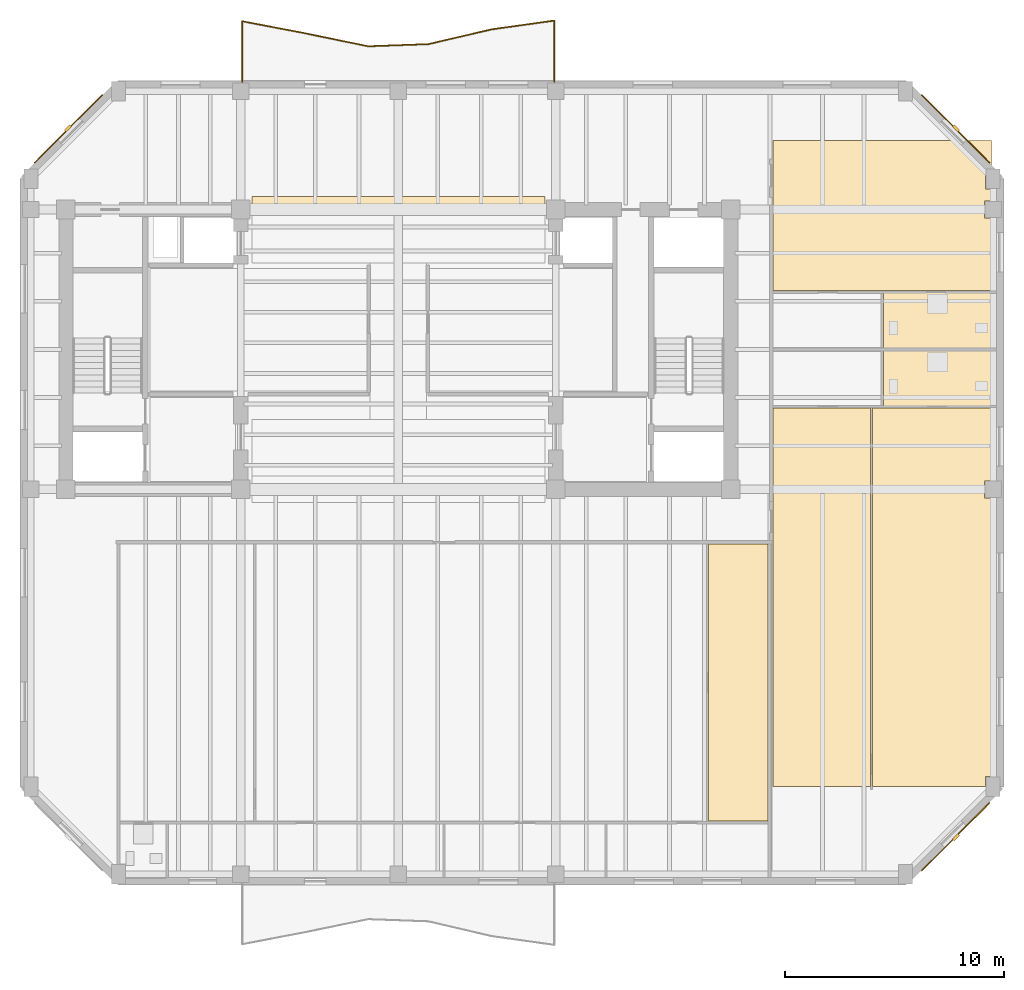
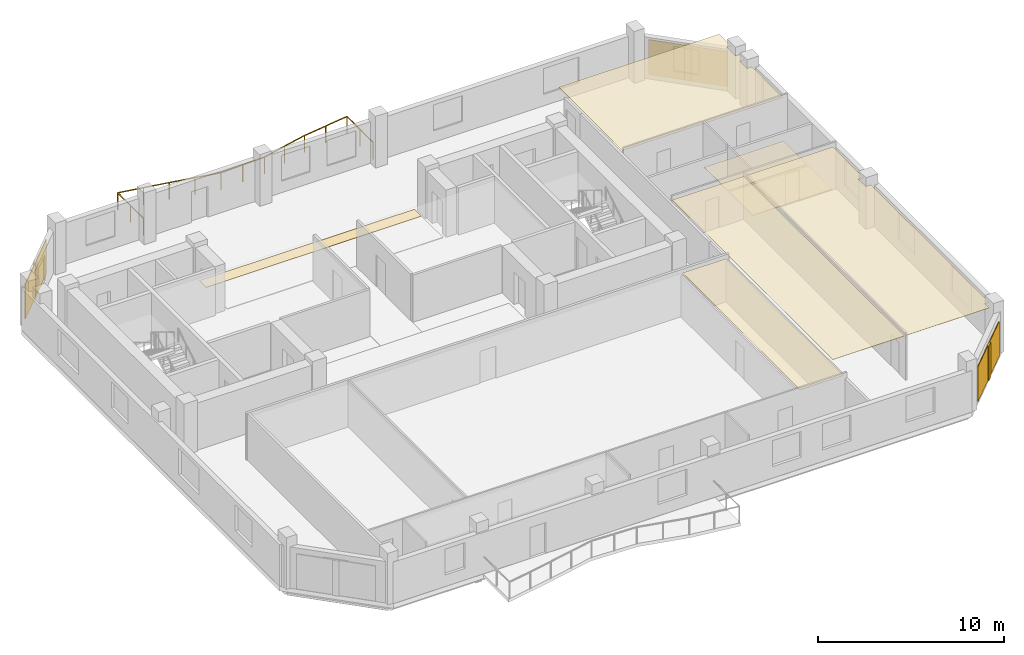
# One storey, part 8 of 9: 10 coverings, 3 shading devices, 1 railing.
"""IFC4 building model written with IfcOpenShell, lengths in metres."""

from ifc_helpers import new_model, si_unit, direction, frame, origin, origin_2d, place, context, subcontext, project, spatial, polyline, rectangle, circle, outline, extrude, material, layer, layer_set, type_object, element, save


model = new_model("IFC4")

# Units and contexts
model_context = context("Model", 3, precision=1e-05, world=origin(), true_north=direction((0.0, 1.0)))
body_context = subcontext(model_context, "Body", "Model", "MODEL_VIEW")
ifc_project = project(units=[si_unit("LENGTHUNIT", "METRE"), si_unit("AREAUNIT", "SQUARE_METRE"), si_unit("VOLUMEUNIT", "CUBIC_METRE"), si_unit("PLANEANGLEUNIT", "RADIAN"), si_unit("MASSUNIT", "GRAM", prefix="KILO")], contexts=[model_context])

# Site, building, storey
site_placement = place(None, origin())
site = spatial("IfcSite", under=ifc_project, at=site_placement, CompositionType="ELEMENT")
building_placement = place(site_placement, origin())
building = spatial("IfcBuilding", under=site, at=building_placement, Name="Kranthara Brick Stack", CompositionType="ELEMENT")
storey_placement = place(building_placement, frame((0.0, 0.0, 241.5)))
storey = spatial("IfcBuildingStorey", under=building, at=storey_placement, Name="L63", CompositionType="ELEMENT", Elevation=241.5)

# Coverings
ifc_material_1 = material(Name="Perforated mineral-fibre acoustic ceiling tile", Category="other")
ifc_layer_1 = layer(ifc_material_1, 0.02490234375)
ifc_layer_set_1 = layer_set([ifc_layer_1], Name="Perforated mineral-fibre acoustic ceiling tile")
covering_type_1 = type_object("IfcCoveringType", Name="COV-CEIL-ACOUSTIC", PredefinedType="CEILING", material=ifc_layer_set_1)
covering_1_placement = place(storey_placement, frame((0.0, 0.0, 2.830078125)))
element("IfcCovering", 1, at=covering_1_placement, inside=storey, type_object=covering_type_1, Name="L63 Unit L63A Bedroom 3 Acoustic Ceiling", PredefinedType="CEILING", context=body_context, shape_type="SweptSolid", body=[
    extrude(outline(polyline([(44.89990234375, 5.6298828125), (44.89990234375, 18.300048828125), (42.18798828125, 18.300048828125), (42.18798828125, 5.6298828125), (44.89990234375, 5.6298828125)])), origin(), (0.0, 0.0, 1.0), 0.02490234375),
])
covering_2_placement = place(storey_placement, frame((0.0, 0.0, 2.830078125)))
element("IfcCovering", 2, at=covering_2_placement, inside=storey, type_object=covering_type_1, Name="L63 Unit L63B Studio Apartment Living Acoustic Ceiling", PredefinedType="CEILING", context=body_context, shape_type="SweptSolid", body=[
    extrude(outline(polyline([(49.595947265625, 7.199951171875), (49.595947265625, 24.510009765625), (45.139892578125, 24.510009765625), (45.139892578125, 7.199951171875), (49.595947265625, 7.199951171875)])), origin(), (0.0, 0.0, 1.0), 0.02490234375),
])
covering_3_placement = place(storey_placement, frame((0.0, 0.0, 2.830078125)))
element("IfcCovering", 3, at=covering_3_placement, inside=storey, type_object=covering_type_1, Name="L63 Unit L63B Private Study Room Acoustic Ceiling", PredefinedType="CEILING", context=body_context, shape_type="SweptSolid", body=[
    extrude(outline(polyline([(49.696044921875, 24.510009765625), (55.1298828125, 24.510009765625), (55.1298828125, 21.18505859375), (54.81494140625, 21.18505859375), (54.81494140625, 20.4150390625), (55.1298828125, 20.4150390625), (55.1298828125, 7.659912109375), (54.864990234375, 7.659912109375), (54.864990234375, 7.199951171875), (49.696044921875, 7.199951171875), (49.696044921875, 24.510009765625)])), origin(), (0.0, 0.0, 1.0), 0.02490234375),
])
covering_4_placement = place(storey_placement, frame((0.0, 0.0, 2.830078125)))
element("IfcCovering", 4, at=covering_4_placement, inside=storey, type_object=covering_type_1, Name="L63 Unit L63C Studio Apartment Living Acoustic Ceiling", PredefinedType="CEILING", context=body_context, shape_type="SweptSolid", body=[
    extrude(outline(polyline([(45.139892578125, 29.889892578125), (45.139892578125, 36.75), (55.1298828125, 36.75), (55.1298828125, 35.4599609375), (54.864990234375, 35.4599609375), (54.864990234375, 34.5400390625), (55.1298828125, 34.5400390625), (55.1298828125, 33.985107421875), (54.81494140625, 33.985107421875), (54.81494140625, 33.215087890625), (55.1298828125, 33.215087890625), (55.1298828125, 29.889892578125), (45.139892578125, 29.889892578125)])), origin(), (0.0, 0.0, 1.0), 0.02490234375),
])
ifc_material_2 = material(Name="Warm buff kiln-fired brick slip rainscreen", Category="masonry")
ifc_layer_2 = layer(ifc_material_2, 0.044921875)
ifc_layer_set_2 = layer_set([ifc_layer_2], Name="Warm buff kiln-fired brick slip rainscreen")
covering_type_2 = type_object("IfcCoveringType", Name="COV-CLAD-BRICK", PredefinedType="CLADDING", material=ifc_layer_set_2)
for number, where, z_axis, x_axis, name in (
    (5, (12.91259765625, 37.287353515625, 0.0498046875), (0.0, 0.0, 1.0), (0.707106781187, 0.707106781187, 0.0), "L63 Chamfer Brick Rainscreen Cladding NW"),
    (6, (53.4873046875, 37.287353515625, 0.0498046875), (0.0, 0.0, 1.0), (0.707106781187, -0.707106781187, 0.0), "L63 Chamfer Brick Rainscreen Cladding NE"),
    (7, (53.4873046875, 4.91259765625, 0.0498046875), (0.0, 0.0, 1.0), (-0.707106781187, -0.707106781187, 0.0), "L63 Chamfer Brick Rainscreen Cladding SE"),
):
    element("IfcCovering", number, at=place(storey_placement, frame(where, z_axis=z_axis, x_axis=x_axis)), inside=storey, type_object=covering_type_2, Name=name, PredefinedType="CLADDING", context=body_context, shape_type="SweptSolid", body=[
        extrude(rectangle(XDim=4.39892578125, YDim=0.044921875, at=origin_2d()), origin(), (0.0, 0.0, 1.0), 2.300048828125),
    ])
ifc_material_3 = material(Name="Honed terrazzo and porcelain floor finish", Category="stone")
ifc_layer_3 = layer(ifc_material_3, 0.030029296875)
ifc_layer_set_3 = layer_set([ifc_layer_3], Name="Honed terrazzo and porcelain floor finish")
covering_type_3 = type_object("IfcCoveringType", Name="COV-FLOR-STONE", PredefinedType="FLOORING", material=ifc_layer_set_3)
covering_5_placement = place(storey_placement, origin())
element("IfcCovering", 8, at=covering_5_placement, inside=storey, type_object=covering_type_3, Name="L63 Lift Lobby Stone Flooring", PredefinedType="FLOORING", context=body_context, shape_type="SweptSolid", body=[
    extrude(outline(polyline([(34.699951171875, 33.449951171875), (21.300048828125, 33.449951171875), (21.300048828125, 34.199951171875), (34.699951171875, 34.199951171875), (34.699951171875, 33.449951171875)])), origin(), (0.0, 0.0, 1.0), 0.030029296875),
])
covering_6_placement = place(storey_placement, origin())
element("IfcCovering", 9, at=covering_6_placement, inside=storey, type_object=covering_type_3, Name="L63 Wet Room Porcelain Flooring", PredefinedType="FLOORING", context=body_context, shape_type="SweptSolid", body=[
    extrude(outline(polyline([(55.1298828125, 24.590087890625), (55.1298828125, 27.139892578125), (50.18505859375, 27.139892578125), (50.18505859375, 24.590087890625), (55.1298828125, 24.590087890625)])), origin(), (0.0, 0.0, 1.0), 0.030029296875),
])
covering_7_placement = place(storey_placement, origin())
element("IfcCovering", 10, at=covering_7_placement, inside=storey, type_object=covering_type_3, Name="L63 Wet Room Porcelain Flooring", PredefinedType="FLOORING", context=body_context, shape_type="SweptSolid", body=[
    extrude(outline(polyline([(55.1298828125, 27.260009765625), (55.1298828125, 29.81005859375), (50.18505859375, 29.81005859375), (50.18505859375, 27.260009765625), (55.1298828125, 27.260009765625)])), origin(), (0.0, 0.0, 1.0), 0.030029296875),
])

# Railing
ifc_material_4 = material(Name="Bronze anodised aluminium and laminated glass balustrade", Category="aluminium")
railing_type = type_object("IfcRailingType", Name="RL-BALC-1120", PredefinedType="BALUSTRADE", material=ifc_material_4)
railing_placement = place(storey_placement, frame((20.860107421875, 39.43994140625, 0.0)))
element("IfcRailing", 11, at=railing_placement, inside=storey, type_object=railing_type, Name="L63 North Rippling Balcony Balustrade", PredefinedType="BALUSTRADE", context=body_context, shape_type="SweptSolid", body=[
    extrude(circle(Radius=0.02392578125, at=origin_2d()), frame((0.0, 0.0, 1.09619140625), z_axis=(-0.000264340461, 0.999999965062, 0.0), x_axis=(-0.999999965062, -0.000264340461, 0.0)), (0.0, 0.0, 1.0), 2.770751953125),
    extrude(circle(Radius=0.02392578125, at=origin_2d()), frame((-0.000732421875, 2.770751953125, 1.09619140625), z_axis=(0.982155191892, -0.188072270788, 0.0), x_axis=(0.188072270788, 0.982155191892, 0.0)), (0.0, 0.0, 1.0), 2.932373046875),
    extrude(circle(Radius=0.02392578125, at=origin_2d()), frame((2.87939453125, 2.21923828125, 1.09619140625), z_axis=(0.979374983714, -0.202051085808, 0.0), x_axis=(0.202051085808, 0.979374983714, 0.0)), (0.0, 0.0, 1.0), 2.94091796875),
    extrude(circle(Radius=0.02392578125, at=origin_2d()), frame((5.759765625, 1.625, 1.09619140625), z_axis=(0.999349383314, 0.036066744661, 0.0), x_axis=(-0.036066744661, 0.999349383314, 0.0)), (0.0, 0.0, 1.0), 2.76171875),
    extrude(circle(Radius=0.02392578125, at=origin_2d()), frame((8.519775390625, 1.724609375, 1.09619140625), z_axis=(0.97375592392, 0.227594816794, 0.0), x_axis=(-0.227594816794, 0.97375592392, 0.0)), (0.0, 0.0, 1.0), 2.95849609375),
    extrude(circle(Radius=0.02392578125, at=origin_2d()), frame((11.400634765625, 2.39794921875, 1.09619140625), z_axis=(0.990346818294, 0.138611613852, 0.0), x_axis=(-0.138611613852, 0.990346818294, 0.0)), (0.0, 0.0, 1.0), 2.907958984375),
    extrude(circle(Radius=0.02392578125, at=origin_2d()), frame((14.280517578125, 2.801025390625, 1.09619140625), z_axis=(-0.000261483474, -0.999999965813, 0.0), x_axis=(0.999999965813, -0.000261483474, 0.0)), (0.0, 0.0, 1.0), 2.801025390625),
    extrude(circle(Radius=0.02099609375, at=origin_2d()), origin(), (0.0, 0.0, 1.0), 1.072021484375),
    extrude(circle(Radius=0.02099609375, at=origin_2d()), frame((-0.00048828125, 1.38525390625, 0.0)), (0.0, 0.0, 1.0), 1.072021484375),
    extrude(circle(Radius=0.02099609375, at=origin_2d()), frame((-0.000732421875, 2.770751953125, 0.0)), (0.0, 0.0, 1.0), 1.072021484375),
    extrude(circle(Radius=0.02099609375, at=origin_2d()), frame((1.439453125, 2.4951171875, 0.0)), (0.0, 0.0, 1.0), 1.072021484375),
    extrude(circle(Radius=0.02099609375, at=origin_2d()), frame((2.87939453125, 2.21923828125, 0.0)), (0.0, 0.0, 1.0), 1.072021484375),
    extrude(circle(Radius=0.02099609375, at=origin_2d()), frame((4.319580078125, 1.922119140625, 0.0)), (0.0, 0.0, 1.0), 1.072021484375),
    extrude(circle(Radius=0.02099609375, at=origin_2d()), frame((5.759765625, 1.625, 0.0)), (0.0, 0.0, 1.0), 1.072021484375),
    extrude(circle(Radius=0.02099609375, at=origin_2d()), frame((7.1396484375, 1.6748046875, 0.0)), (0.0, 0.0, 1.0), 1.072021484375),
    extrude(circle(Radius=0.02099609375, at=origin_2d()), frame((8.519775390625, 1.724609375, 0.0)), (0.0, 0.0, 1.0), 1.072021484375),
    extrude(circle(Radius=0.02099609375, at=origin_2d()), frame((9.960205078125, 2.061279296875, 0.0)), (0.0, 0.0, 1.0), 1.072021484375),
    extrude(circle(Radius=0.02099609375, at=origin_2d()), frame((11.400634765625, 2.39794921875, 0.0)), (0.0, 0.0, 1.0), 1.072021484375),
    extrude(circle(Radius=0.02099609375, at=origin_2d()), frame((12.840576171875, 2.599609375, 0.0)), (0.0, 0.0, 1.0), 1.072021484375),
    extrude(circle(Radius=0.02099609375, at=origin_2d()), frame((14.280517578125, 2.801025390625, 0.0)), (0.0, 0.0, 1.0), 1.072021484375),
    extrude(circle(Radius=0.02099609375, at=origin_2d()), frame((14.2802734375, 1.400390625, 0.0)), (0.0, 0.0, 1.0), 1.072021484375),
    extrude(circle(Radius=0.02099609375, at=origin_2d()), frame((14.27978515625, 0.0, 0.0)), (0.0, 0.0, 1.0), 1.072021484375),
])

# Shading devices
ifc_material_5 = material(Name="Kiln-fired terracotta aerodynamic wind fin", Category="masonry")
shading_device_type = type_object("IfcShadingDeviceType", Name="SHD-BAFFLE-CORNER", PredefinedType="SHUTTER", material=ifc_material_5)
for number, where, z_axis, x_axis, name in (
    (12, (12.8916015625, 37.30859375, 0.0498046875), (0.0, 0.0, 1.0), (0.707106781187, 0.707106781187, 0.0), "L63 Chamfer Wind-Baffle Fin NW"),
    (13, (53.508544921875, 37.30859375, 0.0498046875), (0.0, 0.0, 1.0), (0.707106781187, -0.707106781187, 0.0), "L63 Chamfer Wind-Baffle Fin NE"),
    (14, (53.508544921875, 4.8916015625, 0.0498046875), (0.0, 0.0, 1.0), (-0.707106781187, -0.707106781187, 0.0), "L63 Chamfer Wind-Baffle Fin SE"),
):
    element("IfcShadingDevice", number, at=place(storey_placement, frame(where, z_axis=z_axis, x_axis=x_axis)), inside=storey, type_object=shading_device_type, Name=name, PredefinedType="SHUTTER", context=body_context, shape_type="SweptSolid", body=[
        extrude(rectangle(XDim=0.35009765625, YDim=0.1201171875, at=origin_2d()), origin(), (0.0, 0.0, 1.0), 2.300048828125),
    ])

save(model, "model.ifc")
